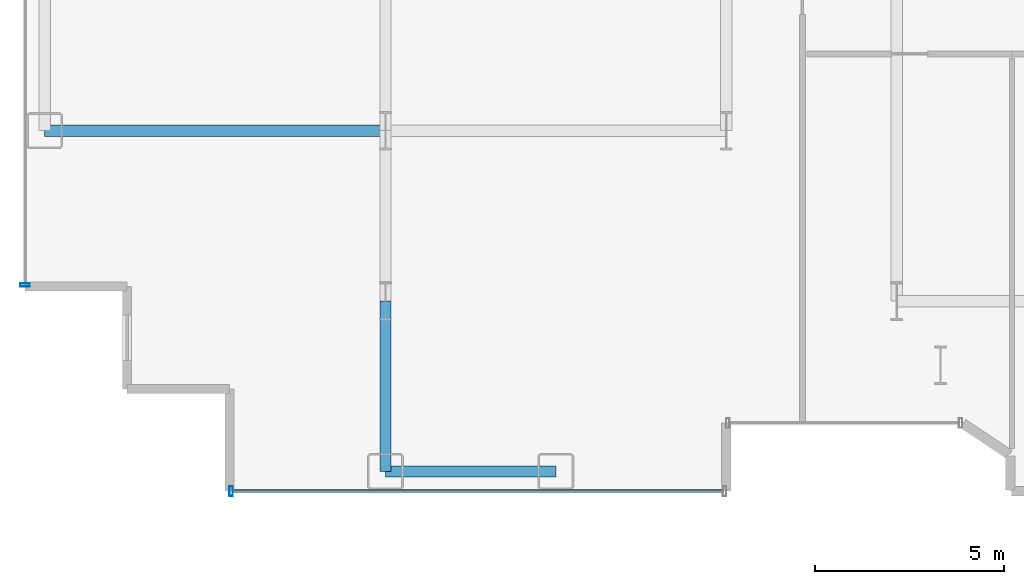
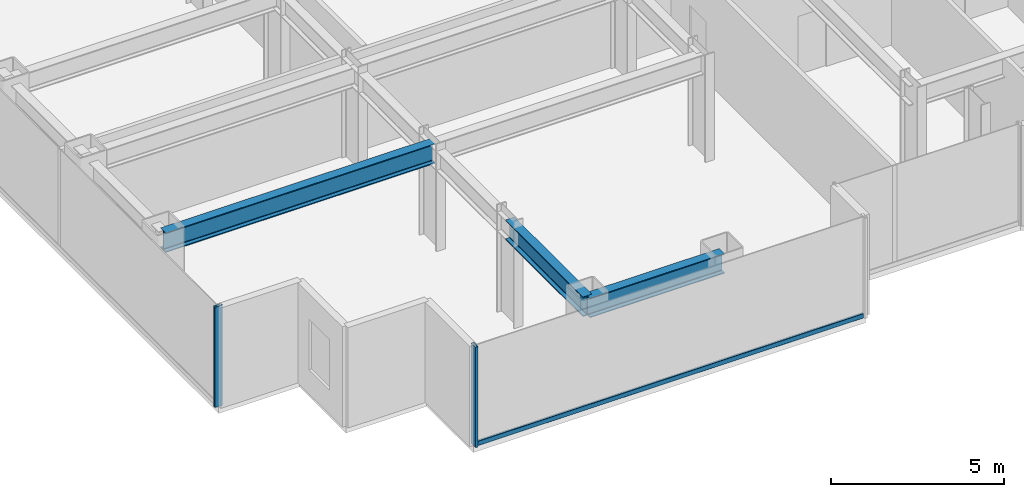
# One storey, part 2 of 26: 3 beams, 3 members, 2 elements without a shape of their own.
"""IFC4 building model written with IfcOpenShell, lengths in metres."""

from ifc_helpers import new_model, si_unit, direction, frame, origin, origin_2d, place, context, subcontext, project, spatial, hollow_rectangle, i_section, extrude, source, transform, mapped, material, layer, layer_set, material_profile, profile_set, type_object, element, aggregate, save


model = new_model("IFC4")

# Units and contexts
model_context = context("Model", 3, precision=1e-05, world=origin(), true_north=direction((0.0, 1.0)))
body_context = subcontext(model_context, "Body", "Model", "MODEL_VIEW")
ifc_project = project(units=[si_unit("LENGTHUNIT", "METRE"), si_unit("AREAUNIT", "SQUARE_METRE"), si_unit("VOLUMEUNIT", "CUBIC_METRE"), si_unit("PLANEANGLEUNIT", "RADIAN"), si_unit("MASSUNIT", "GRAM", prefix="KILO")], contexts=[model_context])

# Site, building, storey
site_placement = place(None, origin())
site = spatial("IfcSite", under=ifc_project, at=site_placement, CompositionType="ELEMENT")
building_placement = place(site_placement, origin())
building = spatial("IfcBuilding", under=site, at=building_placement, Name="Nefas-Gora Pilgrimage Tower", CompositionType="ELEMENT")
storey_placement = place(building_placement, frame((0.0, 0.0, 94.60009765625)))
storey = spatial("IfcBuildingStorey", under=building, at=storey_placement, Name="L22", CompositionType="ELEMENT", Elevation=94.60009765625)

# Beams
ifc_material_1 = material(Name="Steel S355", Category="steel")
ifc_material_profile_1 = material_profile(ifc_material_1, i_section(OverallWidth=0.300048828125, OverallDepth=0.699951171875, WebThickness=0.01708984375, FlangeThickness=0.031982421875, FilletRadius=0.027099609375, at=origin_2d()), Name="HEB 700")
ifc_profile_set_1 = profile_set([ifc_material_profile_1], Name="Steel S355")
beam_type_1 = type_object("IfcBeamType", Name="BM-SPN-HEB600", PredefinedType="SPANDREL", material=ifc_profile_set_1)
shared_shape_1 = source(origin(), body_context, "Body", "SweptSolid", [
    extrude(i_section(OverallWidth=0.300048828125, OverallDepth=0.699951171875, WebThickness=0.01708984375, FlangeThickness=0.031982421875, FilletRadius=0.027099609375, at=origin_2d()), origin(), (0.0, 0.0, 1.0), 4.5),
])
beam_1_placement = place(storey_placement, frame((-24.75, -22.5, 3.199951171875), z_axis=(1.0, 0.0, 0.0), x_axis=(0.0, 1.0, 0.0)))
element("IfcBeam", 1, at=beam_1_placement, inside=storey, type_object=beam_type_1, Name="L22 SP-01 beam", PredefinedType="SPANDREL", context=body_context, shape_type="MappedRepresentation", body=[
    mapped(shared_shape_1, transform((0.0, 0.0, 0.0), x_axis=(1.0, 0.0, 0.0), y_axis=(0.0, 1.0, 0.0), z_axis=(0.0, 0.0, 1.0), scale=1.0)),
])
ifc_material_profile_2 = material_profile(ifc_material_1, i_section(OverallWidth=0.300048828125, OverallDepth=0.699951171875, WebThickness=0.01708984375, FlangeThickness=0.031982421875, FilletRadius=0.027099609375, at=origin_2d()), Name="HEB 700")
ifc_profile_set_2 = profile_set([ifc_material_profile_2], Name="Steel S355")
beam_type_2 = type_object("IfcBeamType", Name="BM-GIR-HEB700", PredefinedType="BEAM", material=ifc_profile_set_2)
shared_shape_2 = source(origin(), body_context, "Body", "SweptSolid", [
    extrude(i_section(OverallWidth=0.300048828125, OverallDepth=0.699951171875, WebThickness=0.01708984375, FlangeThickness=0.031982421875, FilletRadius=0.027099609375, at=origin_2d()), origin(), (0.0, 0.0, 1.0), 9.0),
])
beam_2_placement = place(storey_placement, frame((-33.75, -13.5, 3.199951171875), z_axis=(1.0, 0.0, 0.0), x_axis=(0.0, 1.0, 0.0)))
element("IfcBeam", 2, at=beam_2_placement, inside=storey, type_object=beam_type_2, Name="L22 G-02 beam", PredefinedType="BEAM", context=body_context, shape_type="MappedRepresentation", body=[
    mapped(shared_shape_2, transform((0.0, 0.0, 0.0), x_axis=(1.0, 0.0, 0.0), y_axis=(0.0, 1.0, 0.0), z_axis=(0.0, 0.0, 1.0), scale=1.0)),
])
shared_shape_3 = source(origin(), body_context, "Body", "SweptSolid", [
    extrude(i_section(OverallWidth=0.300048828125, OverallDepth=0.699951171875, WebThickness=0.01708984375, FlangeThickness=0.031982421875, FilletRadius=0.027099609375, at=origin_2d()), origin(), (0.0, 0.0, 1.0), 4.5),
])
beam_3_placement = place(storey_placement, frame((-24.75, -22.5, 3.199951171875), z_axis=(0.0, 1.0, 0.0), x_axis=(-1.0, 0.0, 0.0)))
element("IfcBeam", 3, at=beam_3_placement, inside=storey, type_object=beam_type_2, Name="L22 G-02 beam", PredefinedType="BEAM", context=body_context, shape_type="MappedRepresentation", body=[
    mapped(shared_shape_3, transform((0.0, 0.0, 0.0), x_axis=(1.0, 0.0, 0.0), y_axis=(0.0, 1.0, 0.0), z_axis=(0.0, 0.0, 1.0), scale=1.0)),
])

# Curtain wall, member
ifc_material_2 = material(Name="Dark ceramic-fritted solar-control aluminium-glass curtain wall", Category="aluminium")
ifc_layer = layer(ifc_material_2, 0.219970703125)
ifc_layer_set = layer_set([ifc_layer], Name="Dark ceramic-fritted solar-control aluminium-glass curtain wall")
curtain_wall_type = type_object("IfcCurtainWallType", Name="CW-SYS-2", PredefinedType="NOTDEFINED", material=ifc_layer_set)
curtain_wall_1_placement = place(storey_placement, origin())
curtain_wall_1 = element("IfcCurtainWall", 4, at=curtain_wall_1_placement, inside=storey, type_object=curtain_wall_type, Name="L22 Unitised Curtain Wall CW2", PredefinedType="NOTDEFINED")
ifc_material_3 = material(Name="Anodised architectural aluminium", Category="aluminium")
ifc_material_profile_3 = material_profile(ifc_material_3, hollow_rectangle(XDim=0.080078125, YDim=0.159912109375, WallThickness=0.00439453125, InnerFilletRadius=0.00439453125, OuterFilletRadius=0.009033203125, at=origin_2d()), Name="ALU TRANSOM 80x160")
ifc_profile_set_3 = profile_set([ifc_material_profile_3], Name="Anodised architectural aluminium")
member_type_1 = type_object("IfcMemberType", Name="CWM-TRN-2", PredefinedType="USERDEFINED", material=ifc_profile_set_3)
shared_shape_4 = source(origin(), body_context, "Body", "SweptSolid", [
    extrude(hollow_rectangle(XDim=0.080078125, YDim=0.159912109375, WallThickness=0.00439453125, InnerFilletRadius=0.00439453125, OuterFilletRadius=0.009033203125, at=origin_2d()), origin(), (0.0, 0.0, 1.0), 12.93994140625),
])
member_1_placement = place(storey_placement, frame((-28.780029296875, -23.02001953125, 0.0498046875), z_axis=(1.0, 0.0, 0.0), x_axis=(0.0, 1.0, 0.0)))
member_1 = element("IfcMember", 5, at=member_1_placement, type_object=member_type_1, Name="CW2 Spandrel Transom", ObjectType="TRANSOM", PredefinedType="USERDEFINED", context=body_context, shape_type="MappedRepresentation", body=[
    mapped(shared_shape_4, transform((0.0, 0.0, 0.0), x_axis=(1.0, 0.0, 0.0), y_axis=(0.0, 1.0, 0.0), z_axis=(0.0, 0.0, 1.0), scale=1.0)),
])

curtain_wall_2_placement = place(storey_placement, origin())
curtain_wall_2 = element("IfcCurtainWall", 6, at=curtain_wall_2_placement, inside=storey, type_object=curtain_wall_type, Name="L22 Unitised Curtain Wall CW2", PredefinedType="NOTDEFINED")
ifc_material_profile_4 = material_profile(ifc_material_3, hollow_rectangle(XDim=0.090087890625, YDim=0.260009765625, WallThickness=0.006103515625, InnerFilletRadius=0.006103515625, OuterFilletRadius=0.011962890625, at=origin_2d()), Name="ALU MULLION 90x260")
ifc_profile_set_4 = profile_set([ifc_material_profile_4], Name="Anodised architectural aluminium")
member_type_2 = type_object("IfcMemberType", Name="CWM-MUL-2", PredefinedType="MULLION", material=ifc_profile_set_4)
shared_shape_5 = source(origin(), body_context, "Body", "SweptSolid", [
    extrude(hollow_rectangle(XDim=0.090087890625, YDim=0.260009765625, WallThickness=0.006103515625, InnerFilletRadius=0.006103515625, OuterFilletRadius=0.011962890625, at=origin_2d()), origin(), (0.0, 0.0, 1.0), 3.5498046875),
])
member_2_placement = place(storey_placement, frame((-34.27001953125, -17.574951171875, 0.0), z_axis=(0.0, 0.0, 1.0), x_axis=(0.0, -1.0, 0.0)))
member_2 = element("IfcMember", 7, at=member_2_placement, type_object=member_type_2, Name="CW2 Mullion 2", PredefinedType="MULLION", context=body_context, shape_type="MappedRepresentation", body=[
    mapped(shared_shape_5, transform((0.0, 0.0, 0.0), x_axis=(1.0, 0.0, 0.0), y_axis=(0.0, 1.0, 0.0), z_axis=(0.0, 0.0, 1.0), scale=1.0)),
])
aggregate(curtain_wall_2, [member_2])

# Member
member_3_placement = place(storey_placement, frame((-28.824951171875, -23.02001953125, 0.0), z_axis=(0.0, 0.0, 1.0), x_axis=(1.0, 0.0, 0.0)))
member_3 = element("IfcMember", 8, at=member_3_placement, type_object=member_type_2, Name="CW2 Mullion 1", PredefinedType="MULLION", context=body_context, shape_type="MappedRepresentation", body=[
    mapped(shared_shape_5, transform((0.0, 0.0, 0.0), x_axis=(1.0, 0.0, 0.0), y_axis=(0.0, 1.0, 0.0), z_axis=(0.0, 0.0, 1.0), scale=1.0)),
])

aggregate(curtain_wall_1, [member_3, member_1])

save(model, "model.ifc")
